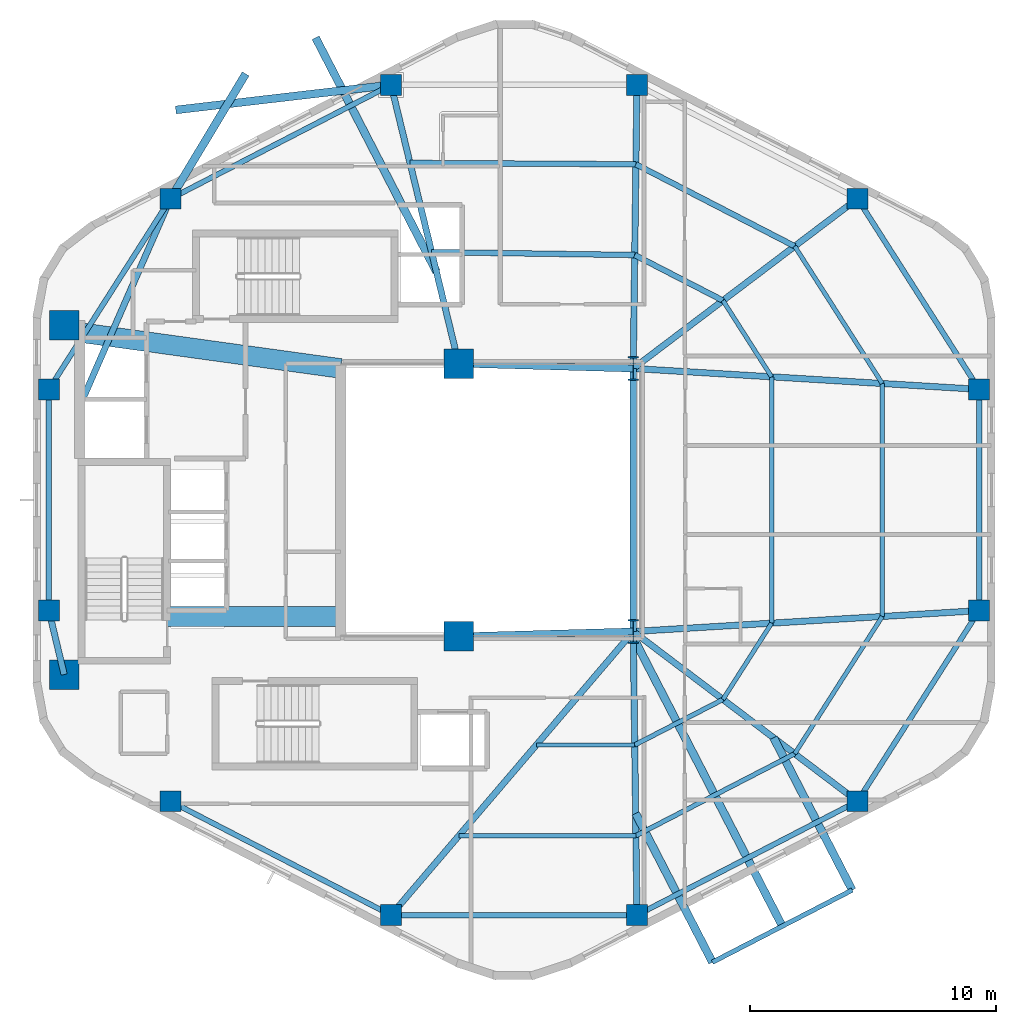
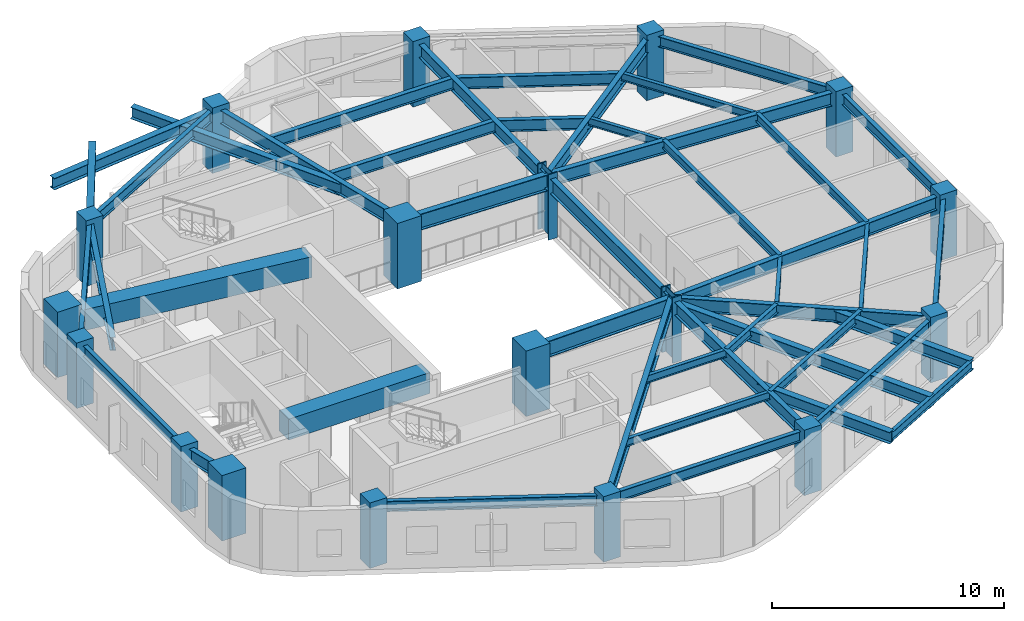
# One storey, part 1 of 7: 45 beams, 18 columns.
"""IFC4 building model written with IfcOpenShell, lengths in metres."""

from ifc_helpers import new_model, si_unit, direction, frame, origin, origin_2d, place, context, subcontext, project, spatial, rectangle, i_section, extrude, material, material_profile, profile_set, type_object, element, save


model = new_model("IFC4")

# Units and contexts
model_context = context("Model", 3, precision=1e-05, world=origin(), true_north=direction((0.0, 1.0)))
body_context = subcontext(model_context, "Body", "Model", "MODEL_VIEW")
ifc_project = project(units=[si_unit("LENGTHUNIT", "METRE"), si_unit("AREAUNIT", "SQUARE_METRE"), si_unit("VOLUMEUNIT", "CUBIC_METRE"), si_unit("PLANEANGLEUNIT", "RADIAN"), si_unit("MASSUNIT", "GRAM", prefix="KILO"), si_unit("THERMODYNAMICTEMPERATUREUNIT", "KELVIN"), si_unit("POWERUNIT", "WATT")], contexts=[model_context])

# Site, building, storey
site_placement = place(None, origin())
site = spatial("IfcSite", under=ifc_project, at=site_placement, CompositionType="ELEMENT")
building_placement = place(site_placement, origin())
building = spatial("IfcBuilding", under=site, at=building_placement, Name="Skarre Station Tower", CompositionType="ELEMENT")
storey_placement = place(building_placement, frame((0.0, 0.0, 199.89990234375)))
storey = spatial("IfcBuildingStorey", under=building, at=storey_placement, Name="L54", CompositionType="ELEMENT", Elevation=199.89990234375)

# Columns
ifc_material_1 = material(Name="Concrete C60/75", Category="concrete")
ifc_material_profile_1 = material_profile(ifc_material_1, rectangle(XDim=1.199951171875, YDim=1.199951171875, at=origin_2d()), Name="Concrete C60/75")
ifc_profile_set_1 = profile_set([ifc_material_profile_1], Name="Concrete C60/75")
column_type_1 = type_object("IfcColumnType", Name="RC Structural Column RC-COL-1200X1200", PredefinedType="COLUMN", material=ifc_profile_set_1)
for number, where, z_axis, x_axis, name in (
    (1, (16.300048828125, 16.89990234375, 0.0), (0.0, 0.0, 1.0), (1.0, 0.0, 0.0), "L54 Core Column CC-SW"),
    (2, (16.300048828125, 31.10009765625, 0.0), (0.0, 0.0, 1.0), (1.0, 0.0, 0.0), "L54 Core Column CC-NW"),
    (3, (32.35009765625, 18.449951171875, 0.0), (0.0, 0.0, 1.0), (1.0, 0.0, 0.0), "L54 Core Column CC-SE"),
    (4, (32.35009765625, 29.550048828125, 0.0), (0.0, 0.0, 1.0), (1.0, 0.0, 0.0), "L54 Core Column CC-NE"),
):
    element("IfcColumn", number, at=place(storey_placement, frame(where, z_axis=z_axis, x_axis=x_axis)), inside=storey, type_object=column_type_1, Name=name, PredefinedType="COLUMN", context=body_context, shape_type="SweptSolid", body=[
        extrude(rectangle(XDim=1.199951171875, YDim=1.199951171875, at=origin_2d()), origin(), (0.0, 0.0, 1.0), 3.4501953125),
    ])
ifc_material_2 = material(Name="Concrete C50/60", Category="concrete")
ifc_material_profile_2 = material_profile(ifc_material_2, rectangle(XDim=0.85009765625, YDim=0.85009765625, at=origin_2d()), Name="Concrete C50/60")
ifc_profile_set_2 = profile_set([ifc_material_profile_2], Name="Concrete C50/60")
column_type_2 = type_object("IfcColumnType", Name="RC Structural Column RC-COL-850X850", PredefinedType="COLUMN", material=ifc_profile_set_2)
for number, where, z_axis, x_axis, name in (
    (5, (48.573974609375, 36.257080078125, 0.0), (0.0, 0.0, 1.0), (1.0, 0.0, 0.0), "L54 Zone 3 Perimeter Column F0C1"),
    (6, (39.60205078125, 40.887939453125, 0.0), (0.0, 0.0, 1.0), (1.0, 0.0, 0.0), "L54 Zone 3 Perimeter Column F0C2"),
    (7, (29.597900390625, 40.887939453125, 0.0), (0.0, 0.0, 1.0), (1.0, 0.0, 0.0), "L54 Zone 3 Perimeter Column F1C1"),
    (8, (20.6259765625, 36.257080078125, 0.0), (0.0, 0.0, 1.0), (1.0, 0.0, 0.0), "L54 Zone 3 Perimeter Column F1C2"),
    (9, (15.677978515625, 28.5009765625, 0.0), (0.0, 0.0, 1.0), (1.0, 0.0, 0.0), "L54 Zone 3 Perimeter Column F2C1"),
    (10, (15.677978515625, 19.4990234375, 0.0), (0.0, 0.0, 1.0), (1.0, 0.0, 0.0), "L54 Zone 3 Perimeter Column F2C2"),
    (11, (20.6259765625, 11.742919921875, 0.0), (0.0, 0.0, 1.0), (1.0, 0.0, 0.0), "L54 Zone 3 Perimeter Column F3C1"),
    (12, (29.597900390625, 7.112060546875, 0.0), (0.0, 0.0, 1.0), (1.0, 0.0, 0.0), "L54 Zone 3 Perimeter Column F3C2"),
    (13, (39.60205078125, 7.112060546875, 0.0), (0.0, 0.0, 1.0), (1.0, 0.0, 0.0), "L54 Zone 3 Perimeter Column F4C1"),
    (14, (48.573974609375, 11.742919921875, 0.0), (0.0, 0.0, 1.0), (1.0, 0.0, 0.0), "L54 Zone 3 Perimeter Column F4C2"),
    (15, (53.52197265625, 19.4990234375, 0.0), (0.0, 0.0, 1.0), (1.0, 0.0, 0.0), "L54 Zone 3 Perimeter Column F5C1"),
    (16, (53.52197265625, 28.5009765625, 0.0), (0.0, 0.0, 1.0), (1.0, 0.0, 0.0), "L54 Zone 3 Perimeter Column F5C2"),
):
    element("IfcColumn", number, at=place(storey_placement, frame(where, z_axis=z_axis, x_axis=x_axis)), inside=storey, type_object=column_type_2, Name=name, PredefinedType="COLUMN", context=body_context, shape_type="SweptSolid", body=[
        extrude(rectangle(XDim=0.85009765625, YDim=0.85009765625, at=origin_2d()), origin(), (0.0, 0.0, 1.0), 3.4501953125),
    ])
ifc_material_3 = material(Name="Steel ASTM A913 Grade 65", Category="steel")
ifc_material_profile_3 = material_profile(ifc_material_3, i_section(OverallWidth=0.430908203125, OverallDepth=0.987060546875, WebThickness=0.033935546875, FlangeThickness=0.06201171875, at=origin_2d()), Name="Steel ASTM A913 Grade 65")
ifc_profile_set_3 = profile_set([ifc_material_profile_3], Name="Steel ASTM A913 Grade 65")
column_type_3 = type_object("IfcColumnType", Name="Steel Column W36X441", PredefinedType="COLUMN", material=ifc_profile_set_3)
for number, where, z_axis, x_axis, name in (
    (17, (39.449951171875, 18.64990234375, 0.0), (0.0, 0.0, 1.0), (1.0, 0.0, 0.0), "L54 Atrium Spine Column AC-SE"),
    (18, (39.449951171875, 29.35009765625, 0.0), (0.0, 0.0, 1.0), (1.0, 0.0, 0.0), "L54 Atrium Spine Column AC-NE"),
):
    element("IfcColumn", number, at=place(storey_placement, frame(where, z_axis=z_axis, x_axis=x_axis)), inside=storey, type_object=column_type_3, Name=name, PredefinedType="COLUMN", context=body_context, shape_type="SweptSolid", body=[
        extrude(i_section(OverallWidth=0.430908203125, OverallDepth=0.987060546875, WebThickness=0.033935546875, FlangeThickness=0.06201171875, at=origin_2d()), origin(), (0.0, 0.0, 1.0), 3.4501953125),
    ])

# Beams
ifc_material_4 = material(Name="Concrete C70/85", Category="concrete")
ifc_material_profile_4 = material_profile(ifc_material_4, rectangle(XDim=0.800048828125, YDim=1.10009765625, at=origin_2d()), Name="Concrete C70/85")
ifc_profile_set_4 = profile_set([ifc_material_profile_4], Name="Concrete C70/85")
beam_type_1 = type_object("IfcBeamType", Name="RC Core Coupling Lintel 800x1100", PredefinedType="LINTEL", material=ifc_profile_set_4)
beam_1_placement = place(storey_placement, frame((20.489990234375, 19.260009765625, 2.64013671875), z_axis=(1.0, 0.0, 0.0), x_axis=(0.0, 1.0, 0.0)))
element("IfcBeam", 19, at=beam_1_placement, inside=storey, type_object=beam_type_1, Name="L54 South Core Coupling Lintel", PredefinedType="LINTEL", context=body_context, shape_type="SweptSolid", body=[
    extrude(rectangle(XDim=0.800048828125, YDim=1.10009765625, at=origin_2d()), origin(), (0.0, 0.0, 1.0), 7.06005859375),
])
beam_2_placement = place(storey_placement, frame((17.050048828125, 30.800048828125, 2.64013671875), z_axis=(0.990599723633, -0.136792498109, 0.0), x_axis=(0.136792498109, 0.990599723633, 0.0)))
element("IfcBeam", 20, at=beam_2_placement, inside=storey, type_object=beam_type_1, Name="L54 North Core Coupling Lintel", PredefinedType="LINTEL", context=body_context, shape_type="SweptSolid", body=[
    extrude(rectangle(XDim=0.800048828125, YDim=1.10009765625, at=origin_2d()), origin(), (0.0, 0.0, 1.0), 10.599609375),
])
ifc_material_5 = material(Name="Steel ASTM A992 Grade 50", Category="steel")
ifc_material_profile_5 = material_profile(ifc_material_5, i_section(OverallWidth=0.323974609375, OverallDepth=0.611083984375, WebThickness=0.012939453125, FlangeThickness=0.01904296875, at=origin_2d()), Name="Steel ASTM A992 Grade 50")
ifc_profile_set_5 = profile_set([ifc_material_profile_5], Name="Steel ASTM A992 Grade 50")
beam_type_2 = type_object("IfcBeamType", Name="Steel Beam W24X104", PredefinedType="BEAM", material=ifc_profile_set_5)
beam_3_placement = place(storey_placement, frame((39.452880859375, 18.407958984375, 2.800048828125), z_axis=(0.458681504424, -0.888600741334, 0.0), x_axis=(0.888600741334, 0.458681504424, 0.0)))
element("IfcBeam", 21, at=beam_3_placement, inside=storey, type_object=beam_type_2, Name="L54 TB-L55-F4 Center Outrigger Beam", PredefinedType="BEAM", context=body_context, shape_type="SweptSolid", body=[
    extrude(i_section(OverallWidth=0.323974609375, OverallDepth=0.611083984375, WebThickness=0.012939453125, FlangeThickness=0.01904296875, at=origin_2d()), origin(), (0.0, 0.0, 1.0), 13.216064453125),
])
beam_4_placement = place(storey_placement, frame((39.548095703125, 11.2470703125, 2.800048828125), z_axis=(0.458607301184, -0.888639039937, 0.0), x_axis=(0.888639039937, 0.458607301184, 0.0)))
element("IfcBeam", 22, at=beam_4_placement, inside=storey, type_object=beam_type_2, Name="L54 TB-L55-F4 Outrigger Beam 1", PredefinedType="BEAM", context=body_context, shape_type="SweptSolid", body=[
    extrude(i_section(OverallWidth=0.323974609375, OverallDepth=0.611083984375, WebThickness=0.012939453125, FlangeThickness=0.01904296875, at=origin_2d()), origin(), (0.0, 0.0, 1.0), 6.809326171875),
])
beam_5_placement = place(storey_placement, frame((45.159912109375, 14.326904296875, 2.800048828125), z_axis=(0.45871874065, -0.888581519601, 0.0), x_axis=(0.888581519601, 0.45871874065, 0.0)))
element("IfcBeam", 23, at=beam_5_placement, inside=storey, type_object=beam_type_2, Name="L54 TB-L55-F4 Outrigger Beam 2", PredefinedType="BEAM", context=body_context, shape_type="SweptSolid", body=[
    extrude(i_section(OverallWidth=0.323974609375, OverallDepth=0.611083984375, WebThickness=0.012939453125, FlangeThickness=0.01904296875, at=origin_2d()), origin(), (0.0, 0.0, 1.0), 6.9716796875),
])
beam_6_placement = place(storey_placement, frame((20.6259765625, 36.257080078125, 2.800048828125), z_axis=(0.515954390241, 0.85661605588, 0.0), x_axis=(-0.85661605588, 0.515954390241, 0.0)))
element("IfcBeam", 24, at=beam_6_placement, inside=storey, type_object=beam_type_2, Name="L54 TB-L55-F1 Center Outrigger Beam", PredefinedType="BEAM", context=body_context, shape_type="SweptSolid", body=[
    extrude(i_section(OverallWidth=0.323974609375, OverallDepth=0.611083984375, WebThickness=0.012939453125, FlangeThickness=0.01904296875, at=origin_2d()), origin(), (0.0, 0.0, 1.0), 5.928955078125),
])
beam_7_placement = place(storey_placement, frame((31.444091796875, 33.281005859375, 2.800048828125), z_axis=(-0.458640598547, 0.888621855102, 0.0), x_axis=(-0.888621855102, -0.458640598547, 0.0)))
element("IfcBeam", 25, at=beam_7_placement, inside=storey, type_object=beam_type_2, Name="L54 TB-L55-F1 Outrigger Beam 1", PredefinedType="BEAM", context=body_context, shape_type="SweptSolid", body=[
    extrude(i_section(OverallWidth=0.323974609375, OverallDepth=0.611083984375, WebThickness=0.012939453125, FlangeThickness=0.01904296875, at=origin_2d()), origin(), (0.0, 0.0, 1.0), 10.716552734375),
])
beam_8_placement = place(storey_placement, frame((29.597900390625, 40.887939453125, 2.800048828125), z_axis=(-0.993282676722, -0.115713111291, 0.0), x_axis=(0.115713111291, -0.993282676722, 0.0)))
element("IfcBeam", 26, at=beam_8_placement, inside=storey, type_object=beam_type_2, Name="L54 TB-L55-F1 Outrigger Beam 2", PredefinedType="BEAM", context=body_context, shape_type="SweptSolid", body=[
    extrude(i_section(OverallWidth=0.323974609375, OverallDepth=0.611083984375, WebThickness=0.012939453125, FlangeThickness=0.01904296875, at=origin_2d()), origin(), (0.0, 0.0, 1.0), 8.815185546875),
])
ifc_material_profile_6 = material_profile(ifc_material_5, i_section(OverallWidth=0.256103515625, OverallDepth=0.693115234375, WebThickness=0.013916015625, FlangeThickness=0.02392578125, at=origin_2d()), Name="Steel ASTM A992 Grade 50")
ifc_profile_set_6 = profile_set([ifc_material_profile_6], Name="Steel ASTM A992 Grade 50")
beam_type_3 = type_object("IfcBeamType", Name="Steel Beam W27X114", PredefinedType="BEAM", material=ifc_profile_set_6)
beam_9_placement = place(storey_placement, frame((39.449951171875, 29.35009765625, 2.843994140625), z_axis=(0.797308988117, 0.603571352425, 0.0), x_axis=(-0.603571352425, 0.797308988117, 0.0)))
element("IfcBeam", 27, at=beam_9_placement, inside=storey, type_object=beam_type_3, Name="L54 Radial Floor Girder F0C1", PredefinedType="BEAM", context=body_context, shape_type="SweptSolid", body=[
    extrude(i_section(OverallWidth=0.256103515625, OverallDepth=0.693115234375, WebThickness=0.013916015625, FlangeThickness=0.02392578125, at=origin_2d()), origin(), (0.0, 0.0, 1.0), 11.443603515625),
])
beam_10_placement = place(storey_placement, frame((39.449951171875, 29.35009765625, 2.843994140625), z_axis=(0.013181528887, 0.999913119874, 0.0), x_axis=(-0.999913119874, 0.013181528887, 0.0)))
element("IfcBeam", 28, at=beam_10_placement, inside=storey, type_object=beam_type_3, Name="L54 Radial Floor Girder F0C2", PredefinedType="BEAM", context=body_context, shape_type="SweptSolid", body=[
    extrude(i_section(OverallWidth=0.256103515625, OverallDepth=0.693115234375, WebThickness=0.013916015625, FlangeThickness=0.02392578125, at=origin_2d()), origin(), (0.0, 0.0, 1.0), 11.538818359375),
])
beam_11_placement = place(storey_placement, frame((32.35009765625, 29.550048828125, 2.843994140625), z_axis=(-0.235892880832, 0.971779063765, 0.0), x_axis=(-0.971779063765, -0.235892880832, 0.0)))
element("IfcBeam", 29, at=beam_11_placement, inside=storey, type_object=beam_type_3, Name="L54 Radial Floor Girder F1C1", PredefinedType="BEAM", context=body_context, shape_type="SweptSolid", body=[
    extrude(i_section(OverallWidth=0.256103515625, OverallDepth=0.693115234375, WebThickness=0.013916015625, FlangeThickness=0.02392578125, at=origin_2d()), origin(), (0.0, 0.0, 1.0), 11.667236328125),
])
beam_12_placement = place(storey_placement, frame((17.010009765625, 28.0, 2.843994140625), z_axis=(0.401144174417, 0.916014929644, 0.0), x_axis=(-0.916014929644, 0.401144174417, 0.0)))
element("IfcBeam", 30, at=beam_12_placement, inside=storey, type_object=beam_type_3, Name="L54 Radial Floor Girder F1C2", PredefinedType="BEAM", context=body_context, shape_type="SweptSolid", body=[
    extrude(i_section(OverallWidth=0.256103515625, OverallDepth=0.693115234375, WebThickness=0.013916015625, FlangeThickness=0.02392578125, at=origin_2d()), origin(), (0.0, 0.0, 1.0), 9.01416015625),
])
beam_13_placement = place(storey_placement, frame((16.300048828125, 16.89990234375, 2.843994140625), z_axis=(-0.232764815072, 0.972533053867, 0.0), x_axis=(-0.972533053867, -0.232764815072, 0.0)))
element("IfcBeam", 31, at=beam_13_placement, inside=storey, type_object=beam_type_3, Name="L54 Radial Floor Girder F2C2", PredefinedType="BEAM", context=body_context, shape_type="SweptSolid", body=[
    extrude(i_section(OverallWidth=0.256103515625, OverallDepth=0.693115234375, WebThickness=0.013916015625, FlangeThickness=0.02392578125, at=origin_2d()), origin(), (0.0, 0.0, 1.0), 2.672607421875),
])
beam_14_placement = place(storey_placement, frame((39.449951171875, 18.64990234375, 2.843994140625), z_axis=(-0.649364312169, -0.760477475065, 0.0), x_axis=(0.760477475065, -0.649364312169, 0.0)))
element("IfcBeam", 32, at=beam_14_placement, inside=storey, type_object=beam_type_3, Name="L54 Radial Floor Girder F3C2", PredefinedType="BEAM", context=body_context, shape_type="SweptSolid", body=[
    extrude(i_section(OverallWidth=0.256103515625, OverallDepth=0.693115234375, WebThickness=0.013916015625, FlangeThickness=0.02392578125, at=origin_2d()), origin(), (0.0, 0.0, 1.0), 15.171875),
])
beam_15_placement = place(storey_placement, frame((39.449951171875, 18.64990234375, 2.843994140625), z_axis=(0.013181528887, -0.999913119874, 0.0), x_axis=(0.999913119874, 0.013181528887, 0.0)))
element("IfcBeam", 33, at=beam_15_placement, inside=storey, type_object=beam_type_3, Name="L54 Radial Floor Girder F4C1", PredefinedType="BEAM", context=body_context, shape_type="SweptSolid", body=[
    extrude(i_section(OverallWidth=0.256103515625, OverallDepth=0.693115234375, WebThickness=0.013916015625, FlangeThickness=0.02392578125, at=origin_2d()), origin(), (0.0, 0.0, 1.0), 11.538818359375),
])
beam_16_placement = place(storey_placement, frame((39.449951171875, 18.64990234375, 2.843994140625), z_axis=(0.797308988117, -0.603571352425, 0.0), x_axis=(0.603571352425, 0.797308988117, 0.0)))
element("IfcBeam", 34, at=beam_16_placement, inside=storey, type_object=beam_type_3, Name="L54 Radial Floor Girder F4C2", PredefinedType="BEAM", context=body_context, shape_type="SweptSolid", body=[
    extrude(i_section(OverallWidth=0.256103515625, OverallDepth=0.693115234375, WebThickness=0.013916015625, FlangeThickness=0.02392578125, at=origin_2d()), origin(), (0.0, 0.0, 1.0), 11.443603515625),
])
for number, where, z_axis, x_axis, name in (
    (35, (39.449951171875, 18.64990234375, 2.843994140625), (0.998184432941, 0.060231535207, 0.0), (-0.060231535207, 0.998184432941, 0.0), "L54 Radial Floor Girder F5C1"),
    (36, (39.449951171875, 29.35009765625, 2.843994140625), (0.998184432941, -0.060231535207, 0.0), (0.060231535207, 0.998184432941, 0.0), "L54 Radial Floor Girder F5C2"),
):
    element("IfcBeam", number, at=place(storey_placement, frame(where, z_axis=z_axis, x_axis=x_axis)), inside=storey, type_object=beam_type_3, Name=name, PredefinedType="BEAM", context=body_context, shape_type="SweptSolid", body=[
        extrude(i_section(OverallWidth=0.256103515625, OverallDepth=0.693115234375, WebThickness=0.013916015625, FlangeThickness=0.02392578125, at=origin_2d()), origin(), (0.0, 0.0, 1.0), 14.09765625),
    ])
ifc_material_profile_7 = material_profile(ifc_material_5, i_section(OverallWidth=0.26806640625, OverallDepth=0.77001953125, WebThickness=0.01611328125, FlangeThickness=0.02490234375, at=origin_2d()), Name="Steel ASTM A992 Grade 50")
ifc_profile_set_7 = profile_set([ifc_material_profile_7], Name="Steel ASTM A992 Grade 50")
beam_type_4 = type_object("IfcBeamType", Name="Steel Beam W30X132", PredefinedType="BEAM", material=ifc_profile_set_7)
beam_17_placement = place(storey_placement, frame((39.449951171875, 18.64990234375, 2.80517578125), z_axis=(0.0, 1.0, 0.0), x_axis=(-1.0, 0.0, 0.0)))
element("IfcBeam", 37, at=beam_17_placement, inside=storey, type_object=beam_type_4, Name="L54 Atrium East Edge Girder", PredefinedType="BEAM", context=body_context, shape_type="SweptSolid", body=[
    extrude(i_section(OverallWidth=0.26806640625, OverallDepth=0.77001953125, WebThickness=0.01611328125, FlangeThickness=0.02490234375, at=origin_2d()), origin(), (0.0, 0.0, 1.0), 10.7001953125),
])
ifc_material_profile_8 = material_profile(ifc_material_5, i_section(OverallWidth=0.2919921875, OverallDepth=0.85888671875, WebThickness=0.01708984375, FlangeThickness=0.031005859375, at=origin_2d()), Name="Steel ASTM A992 Grade 50")
ifc_profile_set_8 = profile_set([ifc_material_profile_8], Name="Steel ASTM A992 Grade 50")
beam_type_5 = type_object("IfcBeamType", Name="Steel Beam W33X169", PredefinedType="BEAM", material=ifc_profile_set_8)
for number, where, z_axis, x_axis, name in (
    (38, (32.35009765625, 18.449951171875, 2.760986328125), (0.999603666405, 0.028151556095, 0.0), (-0.028151556095, 0.999603666405, 0.0), "L54 Atrium South Edge Girder"),
    (39, (32.35009765625, 29.550048828125, 2.760986328125), (0.999603666405, -0.028151556095, 0.0), (0.028151556095, 0.999603666405, 0.0), "L54 Atrium North Edge Girder"),
):
    element("IfcBeam", number, at=place(storey_placement, frame(where, z_axis=z_axis, x_axis=x_axis)), inside=storey, type_object=beam_type_5, Name=name, PredefinedType="BEAM", context=body_context, shape_type="SweptSolid", body=[
        extrude(i_section(OverallWidth=0.2919921875, OverallDepth=0.85888671875, WebThickness=0.01708984375, FlangeThickness=0.031005859375, at=origin_2d()), origin(), (0.0, 0.0, 1.0), 7.102783203125),
    ])
ifc_material_profile_9 = material_profile(ifc_material_5, i_section(OverallWidth=0.177978515625, OverallDepth=0.403076171875, WebThickness=0.008056640625, FlangeThickness=0.010986328125, at=origin_2d()), Name="Steel ASTM A992 Grade 50")
ifc_profile_set_9 = profile_set([ifc_material_profile_9], Name="Steel ASTM A992 Grade 50")
beam_type_6 = type_object("IfcBeamType", Name="Steel Joist W16X36", PredefinedType="JOIST", material=ifc_profile_set_9)
beam_18_placement = place(storey_placement, frame((35.509033203125, 14.034912109375, 2.988037109375), z_axis=(1.0, 0.0, 0.0), x_axis=(0.0, 1.0, 0.0)))
element("IfcBeam", 40, at=beam_18_placement, inside=storey, type_object=beam_type_6, Name="L54 Auxiliary Composite Joist 7", PredefinedType="JOIST", context=body_context, shape_type="SweptSolid", body=[
    extrude(i_section(OverallWidth=0.177978515625, OverallDepth=0.403076171875, WebThickness=0.008056640625, FlangeThickness=0.010986328125, at=origin_2d()), origin(), (0.0, 0.0, 1.0), 4.001953125),
])
beam_19_placement = place(storey_placement, frame((32.35693359375, 10.343017578125, 2.988037109375), z_axis=(1.0, 0.0, 0.0), x_axis=(0.0, 1.0, 0.0)))
element("IfcBeam", 41, at=beam_19_placement, inside=storey, type_object=beam_type_6, Name="L54 Auxiliary Composite Joist 8", PredefinedType="JOIST", context=body_context, shape_type="SweptSolid", body=[
    extrude(i_section(OverallWidth=0.177978515625, OverallDepth=0.403076171875, WebThickness=0.008056640625, FlangeThickness=0.010986328125, at=origin_2d()), origin(), (0.0, 0.0, 1.0), 7.2021484375),
])
beam_20_placement = place(storey_placement, frame((43.10009765625, 15.886962890625, 2.988037109375), z_axis=(0.537716516977, 0.843125700812, 0.0), x_axis=(-0.843125700812, 0.537716516977, 0.0)))
element("IfcBeam", 42, at=beam_20_placement, inside=storey, type_object=beam_type_6, Name="L54 Auxiliary Composite Joist 11", PredefinedType="JOIST", context=body_context, shape_type="SweptSolid", body=[
    extrude(i_section(OverallWidth=0.177978515625, OverallDepth=0.403076171875, WebThickness=0.008056640625, FlangeThickness=0.010986328125, at=origin_2d()), origin(), (0.0, 0.0, 1.0), 3.680419921875),
])
beam_21_placement = place(storey_placement, frame((46.01904296875, 13.677001953125, 2.988037109375), z_axis=(0.537900605588, 0.843008267165, 0.0), x_axis=(-0.843008267165, 0.537900605588, 0.0)))
element("IfcBeam", 43, at=beam_21_placement, inside=storey, type_object=beam_type_6, Name="L54 Auxiliary Composite Joist 12", PredefinedType="JOIST", context=body_context, shape_type="SweptSolid", body=[
    extrude(i_section(OverallWidth=0.177978515625, OverallDepth=0.403076171875, WebThickness=0.008056640625, FlangeThickness=0.010986328125, at=origin_2d()), origin(), (0.0, 0.0, 1.0), 6.623779296875),
])
beam_22_placement = place(storey_placement, frame((45.0791015625, 29.010009765625, 2.988037109375), z_axis=(-0.537716516977, 0.843125700812, 0.0), x_axis=(-0.843125700812, -0.537716516977, 0.0)))
element("IfcBeam", 44, at=beam_22_placement, inside=storey, type_object=beam_type_6, Name="L54 Auxiliary Composite Joist 15", PredefinedType="JOIST", context=body_context, shape_type="SweptSolid", body=[
    extrude(i_section(OverallWidth=0.177978515625, OverallDepth=0.403076171875, WebThickness=0.008056640625, FlangeThickness=0.010986328125, at=origin_2d()), origin(), (0.0, 0.0, 1.0), 3.680419921875),
])
beam_23_placement = place(storey_placement, frame((49.58203125, 28.739013671875, 2.988037109375), z_axis=(-0.537900605588, 0.843008267165, 0.0), x_axis=(-0.843008267165, -0.537900605588, 0.0)))
element("IfcBeam", 45, at=beam_23_placement, inside=storey, type_object=beam_type_6, Name="L54 Auxiliary Composite Joist 16", PredefinedType="JOIST", context=body_context, shape_type="SweptSolid", body=[
    extrude(i_section(OverallWidth=0.177978515625, OverallDepth=0.403076171875, WebThickness=0.008056640625, FlangeThickness=0.010986328125, at=origin_2d()), origin(), (0.0, 0.0, 1.0), 6.623779296875),
])
ifc_material_profile_10 = material_profile(ifc_material_5, i_section(OverallWidth=0.19091796875, OverallDepth=0.45703125, WebThickness=0.009033203125, FlangeThickness=0.013916015625, at=origin_2d()), Name="Steel ASTM A992 Grade 50")
ifc_profile_set_10 = profile_set([ifc_material_profile_10], Name="Steel ASTM A992 Grade 50")
beam_type_7 = type_object("IfcBeamType", Name="Steel Joist W18X50", PredefinedType="JOIST", material=ifc_profile_set_10)
beam_24_placement = place(storey_placement, frame((39.510986328125, 14.034912109375, 2.962158203125), z_axis=(0.888660390105, 0.458565928803, 0.0), x_axis=(-0.458565928803, 0.888660390105, 0.0)))
element("IfcBeam", 46, at=beam_24_placement, inside=storey, type_object=beam_type_7, Name="L54 Auxiliary Composite Joist 9", PredefinedType="JOIST", context=body_context, shape_type="SweptSolid", body=[
    extrude(i_section(OverallWidth=0.19091796875, OverallDepth=0.45703125, WebThickness=0.009033203125, FlangeThickness=0.013916015625, at=origin_2d()), origin(), (0.0, 0.0, 1.0), 4.038818359375),
])
beam_25_placement = place(storey_placement, frame((39.55908203125, 10.343017578125, 2.962158203125), z_axis=(0.88863125356, 0.458622388459, 0.0), x_axis=(-0.458622388459, 0.88863125356, 0.0)))
element("IfcBeam", 47, at=beam_25_placement, inside=storey, type_object=beam_type_7, Name="L54 Auxiliary Composite Joist 10", PredefinedType="JOIST", context=body_context, shape_type="SweptSolid", body=[
    extrude(i_section(OverallWidth=0.19091796875, OverallDepth=0.45703125, WebThickness=0.009033203125, FlangeThickness=0.013916015625, at=origin_2d()), origin(), (0.0, 0.0, 1.0), 7.26953125),
])
beam_26_placement = place(storey_placement, frame((45.0791015625, 18.989990234375, 2.962158203125), z_axis=(0.0, 1.0, 0.0), x_axis=(-1.0, 0.0, 0.0)))
element("IfcBeam", 48, at=beam_26_placement, inside=storey, type_object=beam_type_7, Name="L54 Auxiliary Composite Joist 13", PredefinedType="JOIST", context=body_context, shape_type="SweptSolid", body=[
    extrude(i_section(OverallWidth=0.19091796875, OverallDepth=0.45703125, WebThickness=0.009033203125, FlangeThickness=0.013916015625, at=origin_2d()), origin(), (0.0, 0.0, 1.0), 10.02001953125),
])
beam_27_placement = place(storey_placement, frame((49.58203125, 19.260986328125, 2.962158203125), z_axis=(0.0, 1.0, 0.0), x_axis=(-1.0, 0.0, 0.0)))
element("IfcBeam", 49, at=beam_27_placement, inside=storey, type_object=beam_type_7, Name="L54 Auxiliary Composite Joist 14", PredefinedType="JOIST", context=body_context, shape_type="SweptSolid", body=[
    extrude(i_section(OverallWidth=0.19091796875, OverallDepth=0.45703125, WebThickness=0.009033203125, FlangeThickness=0.013916015625, at=origin_2d()), origin(), (0.0, 0.0, 1.0), 9.47802734375),
])
beam_28_placement = place(storey_placement, frame((42.6708984375, 5.196044921875, 2.8759765625), z_axis=(0.888569497845, 0.458742027178, 0.0), x_axis=(-0.458742027178, 0.888569497845, 0.0)))
element("IfcBeam", 50, at=beam_28_placement, inside=storey, type_object=beam_type_7, Name="L54 TB-L55-F4 Rim Beam", PredefinedType="JOIST", context=body_context, shape_type="SweptSolid", body=[
    extrude(i_section(OverallWidth=0.19091796875, OverallDepth=0.45703125, WebThickness=0.009033203125, FlangeThickness=0.013916015625, at=origin_2d()), origin(), (0.0, 0.0, 1.0), 6.400146484375),
])
ifc_material_profile_11 = material_profile(ifc_material_5, i_section(OverallWidth=0.22802734375, OverallDepth=0.60791015625, WebThickness=0.010986328125, FlangeThickness=0.01708984375, at=origin_2d()), Name="Steel ASTM A992 Grade 50")
ifc_profile_set_11 = profile_set([ifc_material_profile_11], Name="Steel ASTM A992 Grade 50")
beam_type_8 = type_object("IfcBeamType", Name="Steel Joist W24X76", PredefinedType="JOIST", material=ifc_profile_set_11)
beam_29_placement = place(storey_placement, frame((43.10009765625, 32.113037109375, 2.885986328125), z_axis=(-0.888660390105, 0.458565928803, 0.0), x_axis=(-0.458565928803, -0.888660390105, 0.0)))
element("IfcBeam", 51, at=beam_29_placement, inside=storey, type_object=beam_type_8, Name="L54 Secondary Floor Joist 1", PredefinedType="JOIST", context=body_context, shape_type="SweptSolid", body=[
    extrude(i_section(OverallWidth=0.22802734375, OverallDepth=0.60791015625, WebThickness=0.010986328125, FlangeThickness=0.01708984375, at=origin_2d()), origin(), (0.0, 0.0, 1.0), 4.038818359375),
])
beam_30_placement = place(storey_placement, frame((46.01904296875, 34.322998046875, 2.885986328125), z_axis=(-0.88863125356, 0.458622388459, 0.0), x_axis=(-0.458622388459, -0.88863125356, 0.0)))
element("IfcBeam", 52, at=beam_30_placement, inside=storey, type_object=beam_type_8, Name="L54 Secondary Floor Joist 2", PredefinedType="JOIST", context=body_context, shape_type="SweptSolid", body=[
    extrude(i_section(OverallWidth=0.22802734375, OverallDepth=0.60791015625, WebThickness=0.010986328125, FlangeThickness=0.01708984375, at=origin_2d()), origin(), (0.0, 0.0, 1.0), 7.26953125),
])
beam_31_placement = place(storey_placement, frame((39.510986328125, 33.965087890625, 2.885986328125), z_axis=(-0.999894760676, 0.014507500591, 0.0), x_axis=(-0.014507500591, -0.999894760676, 0.0)))
element("IfcBeam", 53, at=beam_31_placement, inside=storey, type_object=beam_type_8, Name="L54 Secondary Floor Joist 3", PredefinedType="JOIST", context=body_context, shape_type="SweptSolid", body=[
    extrude(i_section(OverallWidth=0.22802734375, OverallDepth=0.60791015625, WebThickness=0.010986328125, FlangeThickness=0.01708984375, at=origin_2d()), origin(), (0.0, 0.0, 1.0), 8.262939453125),
])
beam_32_placement = place(storey_placement, frame((39.55908203125, 37.656982421875, 2.885986328125), z_axis=(-0.99998149622, 0.006083355807, 0.0), x_axis=(-0.006083355807, -0.99998149622, 0.0)))
element("IfcBeam", 54, at=beam_32_placement, inside=storey, type_object=beam_type_8, Name="L54 Secondary Floor Joist 4", PredefinedType="JOIST", context=body_context, shape_type="SweptSolid", body=[
    extrude(i_section(OverallWidth=0.22802734375, OverallDepth=0.60791015625, WebThickness=0.010986328125, FlangeThickness=0.01708984375, at=origin_2d()), origin(), (0.0, 0.0, 1.0), 9.1904296875),
])
ifc_material_profile_12 = material_profile(ifc_material_5, i_section(OverallWidth=0.214111328125, OverallDepth=0.549072265625, WebThickness=0.014892578125, FlangeThickness=0.02392578125, at=origin_2d()), Name="Steel ASTM A992 Grade 50")
ifc_profile_set_12 = profile_set([ifc_material_profile_12], Name="Steel ASTM A992 Grade 50")
beam_type_9 = type_object("IfcBeamType", Name="Steel Spandrel W21X93", PredefinedType="SPANDREL", material=ifc_profile_set_12)
beam_33_placement = place(storey_placement, frame((29.597900390625, 40.887939453125, 2.916015625), z_axis=(-0.888613027226, -0.458657702262, 0.0), x_axis=(0.458657702262, -0.888613027226, 0.0)))
element("IfcBeam", 55, at=beam_33_placement, inside=storey, type_object=beam_type_9, Name="L54 Facet Spandrel Beam 3", PredefinedType="SPANDREL", context=body_context, shape_type="SweptSolid", body=[
    extrude(i_section(OverallWidth=0.214111328125, OverallDepth=0.549072265625, WebThickness=0.014892578125, FlangeThickness=0.02392578125, at=origin_2d()), origin(), (0.0, 0.0, 1.0), 10.096435546875),
])
beam_34_placement = place(storey_placement, frame((20.6259765625, 36.257080078125, 2.916015625), z_axis=(-0.537826426158, -0.843055594445, 0.0), x_axis=(0.843055594445, -0.537826426158, 0.0)))
element("IfcBeam", 56, at=beam_34_placement, inside=storey, type_object=beam_type_9, Name="L54 Facet Spandrel Beam 4", PredefinedType="SPANDREL", context=body_context, shape_type="SweptSolid", body=[
    extrude(i_section(OverallWidth=0.214111328125, OverallDepth=0.549072265625, WebThickness=0.014892578125, FlangeThickness=0.02392578125, at=origin_2d()), origin(), (0.0, 0.0, 1.0), 9.199951171875),
])
beam_35_placement = place(storey_placement, frame((15.677978515625, 28.5009765625, 2.916015625), z_axis=(0.0, -1.0, 0.0), x_axis=(1.0, 0.0, 0.0)))
element("IfcBeam", 57, at=beam_35_placement, inside=storey, type_object=beam_type_9, Name="L54 Facet Spandrel Beam 5", PredefinedType="SPANDREL", context=body_context, shape_type="SweptSolid", body=[
    extrude(i_section(OverallWidth=0.214111328125, OverallDepth=0.549072265625, WebThickness=0.014892578125, FlangeThickness=0.02392578125, at=origin_2d()), origin(), (0.0, 0.0, 1.0), 9.001953125),
])
beam_36_placement = place(storey_placement, frame((20.6259765625, 11.742919921875, 2.916015625), z_axis=(0.888613027226, -0.458657702262, 0.0), x_axis=(0.458657702262, 0.888613027226, 0.0)))
element("IfcBeam", 58, at=beam_36_placement, inside=storey, type_object=beam_type_9, Name="L54 Facet Spandrel Beam 7", PredefinedType="SPANDREL", context=body_context, shape_type="SweptSolid", body=[
    extrude(i_section(OverallWidth=0.214111328125, OverallDepth=0.549072265625, WebThickness=0.014892578125, FlangeThickness=0.02392578125, at=origin_2d()), origin(), (0.0, 0.0, 1.0), 10.096435546875),
])
beam_37_placement = place(storey_placement, frame((29.597900390625, 7.112060546875, 2.916015625), z_axis=(1.0, 0.0, 0.0), x_axis=(0.0, 1.0, 0.0)))
element("IfcBeam", 59, at=beam_37_placement, inside=storey, type_object=beam_type_9, Name="L54 Facet Spandrel Beam 8", PredefinedType="SPANDREL", context=body_context, shape_type="SweptSolid", body=[
    extrude(i_section(OverallWidth=0.214111328125, OverallDepth=0.549072265625, WebThickness=0.014892578125, FlangeThickness=0.02392578125, at=origin_2d()), origin(), (0.0, 0.0, 1.0), 10.004150390625),
])
beam_38_placement = place(storey_placement, frame((39.60205078125, 7.112060546875, 2.916015625), z_axis=(0.888613027226, 0.458657702262, 0.0), x_axis=(-0.458657702262, 0.888613027226, 0.0)))
element("IfcBeam", 60, at=beam_38_placement, inside=storey, type_object=beam_type_9, Name="L54 Facet Spandrel Beam 9", PredefinedType="SPANDREL", context=body_context, shape_type="SweptSolid", body=[
    extrude(i_section(OverallWidth=0.214111328125, OverallDepth=0.549072265625, WebThickness=0.014892578125, FlangeThickness=0.02392578125, at=origin_2d()), origin(), (0.0, 0.0, 1.0), 10.096435546875),
])
beam_39_placement = place(storey_placement, frame((48.573974609375, 11.742919921875, 2.916015625), z_axis=(0.537826426158, 0.843055594445, 0.0), x_axis=(-0.843055594445, 0.537826426158, 0.0)))
element("IfcBeam", 61, at=beam_39_placement, inside=storey, type_object=beam_type_9, Name="L54 Facet Spandrel Beam 10", PredefinedType="SPANDREL", context=body_context, shape_type="SweptSolid", body=[
    extrude(i_section(OverallWidth=0.214111328125, OverallDepth=0.549072265625, WebThickness=0.014892578125, FlangeThickness=0.02392578125, at=origin_2d()), origin(), (0.0, 0.0, 1.0), 9.199951171875),
])
beam_40_placement = place(storey_placement, frame((53.52197265625, 19.4990234375, 2.916015625), z_axis=(0.0, 1.0, 0.0), x_axis=(-1.0, 0.0, 0.0)))
element("IfcBeam", 62, at=beam_40_placement, inside=storey, type_object=beam_type_9, Name="L54 Facet Spandrel Beam 11", PredefinedType="SPANDREL", context=body_context, shape_type="SweptSolid", body=[
    extrude(i_section(OverallWidth=0.214111328125, OverallDepth=0.549072265625, WebThickness=0.014892578125, FlangeThickness=0.02392578125, at=origin_2d()), origin(), (0.0, 0.0, 1.0), 9.001953125),
])
beam_41_placement = place(storey_placement, frame((53.52197265625, 28.5009765625, 2.916015625), z_axis=(-0.537826426158, 0.843055594445, 0.0), x_axis=(-0.843055594445, -0.537826426158, 0.0)))
element("IfcBeam", 63, at=beam_41_placement, inside=storey, type_object=beam_type_9, Name="L54 Facet Spandrel Beam 12", PredefinedType="SPANDREL", context=body_context, shape_type="SweptSolid", body=[
    extrude(i_section(OverallWidth=0.214111328125, OverallDepth=0.549072265625, WebThickness=0.014892578125, FlangeThickness=0.02392578125, at=origin_2d()), origin(), (0.0, 0.0, 1.0), 9.199951171875),
])

save(model, "model.ifc")
